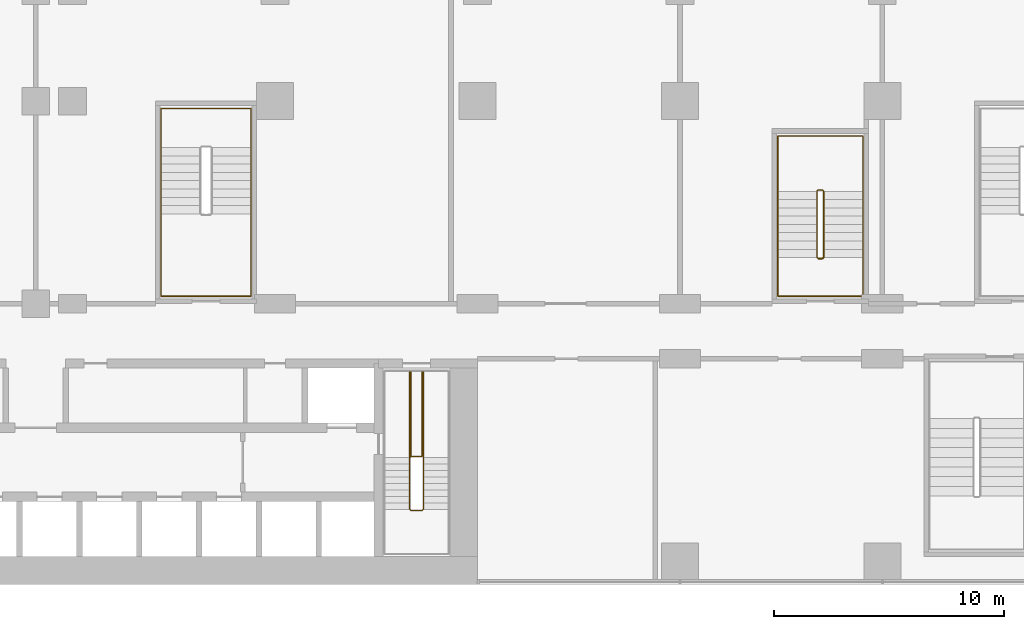
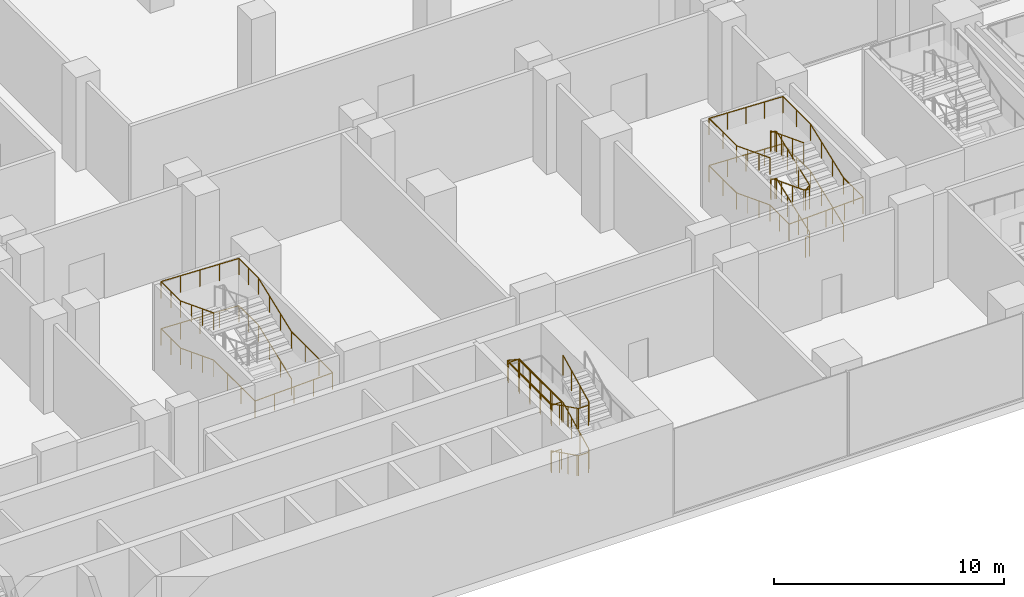
# One storey, part 26 of 30: 4 railings.
"""IFC4 building model written with IfcOpenShell, lengths in metres."""

import ifcopenshell
import ifcopenshell.guid

model = None  # the IFC model being written
_history = None  # IfcOwnerHistory: only IFC2X3 demands one
_inside = {}  # id of a spatial element -> (the spatial element, [elements in it])
_under = {}  # id of a project, library or spatial element -> (it, [spatial elements below it])
_declared = {}  # id of a project -> (the project, [libraries it declares])
_typed = {}  # id of a type object -> (the type object, [elements of that type])
_made_of = {}  # id of a material, layer set ... -> (it, [elements and type objects made of it])


def new_model(schema):
    """Start an empty IFC model of exactly this schema.

    Asked for "IFC4X3", IfcOpenShell would pick the latest addendum, in which some entities
    have other attributes; the version numbers below select the first issue.
    IFC2X3 requires an IfcOwnerHistory on every rooted entity: one is made here for all.
    """
    global model, _history
    if schema == "IFC4X3":
        model = ifcopenshell.file(schema_version=(4, 3, 0, 0))
    else:
        model = ifcopenshell.file(schema=schema)
    _inside.clear()
    _under.clear()
    _declared.clear()
    _typed.clear()
    _made_of.clear()
    _history = None
    if model.schema == "IFC2X3":
        org = make("IfcOrganization", Name="unknown")
        user = make(
            "IfcPersonAndOrganization",
            ThePerson=make("IfcPerson", FamilyName="unknown"),
            TheOrganization=org,
        )
        app = make(
            "IfcApplication",
            ApplicationDeveloper=org,
            Version="unknown",
            ApplicationFullName="unknown",
            ApplicationIdentifier="unknown",
        )
        _history = make(
            "IfcOwnerHistory",
            OwningUser=user,
            OwningApplication=app,
            ChangeAction="ADDED",
            CreationDate=0,
        )
    return model


def make(cls, **values):
    """One entity of the class cls with the attributes given. An attribute that is None is left unset."""
    return model.create_entity(
        cls, **{name: value for name, value in values.items() if value is not None}
    )


def rooted(cls, **values):
    """An entity with a GlobalId (a new one), such as an element, a storey or a relation."""
    return make(cls, GlobalId=ifcopenshell.guid.new(), OwnerHistory=_history, **values)


def si_unit(unit_type, name, prefix=None):
    """IfcSIUnit, for example si_unit("LENGTHUNIT", "METRE", prefix="MILLI")."""
    return make("IfcSIUnit", UnitType=unit_type, Prefix=prefix, Name=name)


def assignment(units):
    """IfcUnitAssignment: the units of a project."""
    return None if units is None else make("IfcUnitAssignment", Units=units)


def point(xyz):
    """IfcCartesianPoint."""
    return None if xyz is None else make("IfcCartesianPoint", Coordinates=xyz)


def direction(xyz):
    """IfcDirection."""
    return None if xyz is None else make("IfcDirection", DirectionRatios=xyz)


def frame(location, z_axis=None, x_axis=None):
    """IfcAxis2Placement3D, a coordinate frame: its origin and axes. An axis left out is left unset."""
    return make(
        "IfcAxis2Placement3D",
        Location=point(location),
        Axis=direction(z_axis),
        RefDirection=direction(x_axis),
    )


def frame_2d(location, x_axis=None):
    """IfcAxis2Placement2D, a coordinate frame in the plane: its origin and x axis."""
    return make(
        "IfcAxis2Placement2D", Location=point(location), RefDirection=direction(x_axis)
    )


def origin():
    """The frame at (0, 0, 0) with its axes left unset."""
    return frame((0.0, 0.0, 0.0))


def origin_2d():
    """The frame at (0, 0) in the plane with its x axis left unset."""
    return frame_2d((0.0, 0.0))


def place(relative_to, where):
    """IfcLocalPlacement: puts the frame where relative to a parent placement (None: the world)."""
    return make(
        "IfcLocalPlacement", PlacementRelTo=relative_to, RelativePlacement=where
    )


def context(
    kind, dimensions, precision=None, world=None, true_north=None, identifier=None
):
    """IfcGeometricRepresentationContext, for example the 3D "Model" context."""
    return make(
        "IfcGeometricRepresentationContext",
        ContextIdentifier=identifier,
        ContextType=kind,
        CoordinateSpaceDimension=dimensions,
        Precision=precision,
        WorldCoordinateSystem=world,
        TrueNorth=true_north,
    )


def subcontext(parent, identifier, kind, view, scale=None):
    """IfcGeometricRepresentationSubContext, for example "Body" below "Model"."""
    return make(
        "IfcGeometricRepresentationSubContext",
        ContextIdentifier=identifier,
        ContextType=kind,
        ParentContext=parent,
        TargetScale=scale,
        TargetView=view,
    )


def project(units=None, contexts=None):
    """IfcProject with its units and contexts."""
    return rooted(
        "IfcProject",
        Name="project",
        RepresentationContexts=contexts,
        UnitsInContext=assignment(units),
    )


def spatial(cls, under=None, at=None, **own):
    """A site, building, storey or space (cls), placed at a placement, below another one or the project."""
    s = rooted(cls, ObjectPlacement=at, **own)
    if under is not None:
        _under.setdefault(under.id(), (under, []))[1].append(s)
    return s


def profile(cls, at=None, kind="AREA", **sizes):
    """A parametric profile (cls). Its sizes go by their IFC names, for example OverallWidth=200.0."""
    return make(cls, ProfileType=kind, Position=at, **sizes)


def circle(**sizes):
    """IfcCircleProfileDef."""
    return profile("IfcCircleProfileDef", **sizes)


def extrude(swept, where, along, depth):
    """IfcExtrudedAreaSolid: the profile swept, set in the frame where, extruded along a direction by depth."""
    return make(
        "IfcExtrudedAreaSolid",
        SweptArea=swept,
        Position=where,
        ExtrudedDirection=direction(along),
        Depth=depth,
    )


def shape(context_of_items, identifier, shape_type, items):
    """IfcShapeRepresentation: the items that make up one representation, for example the "Body"."""
    return make(
        "IfcShapeRepresentation",
        ContextOfItems=context_of_items,
        RepresentationIdentifier=identifier,
        RepresentationType=shape_type,
        Items=items,
    )


def material(Name=None, Category=None):
    """IfcMaterial."""
    return make("IfcMaterial", Name=Name, Category=Category)


def made_of(thing, what):
    """Note that an element or type object is made of a material, layer set ...; save() writes the relation."""
    if what is not None:
        _made_of.setdefault(what.id(), (what, []))[1].append(thing)
    return thing


def type_object(cls, material=None, **own):
    """A type object (cls), such as IfcWallType, which elements share."""
    return made_of(rooted(cls, **own), material)


def element(
    cls,
    number,
    at=None,
    inside=None,
    cuts=None,
    type_object=None,
    material=None,
    context=None,
    identifier="Body",
    shape_type=None,
    held_by="IfcProductDefinitionShape",
    body=None,
    shapes=None,
    **own,
):
    """One element of the class cls, such as IfcWall. Its Tag is "e" and its number.

    at: its placement. inside: the storey or other place that contains it. cuts: it is an
    opening in that element (IfcRelVoidsElement). A single representation is given by context,
    identifier, shape_type and body (its items); several are given by shapes. held_by: the class
    of the entity that holds the representations. save() writes the other relations.
    """
    e = rooted(cls, Tag="e%d" % number, ObjectPlacement=at, **own)
    if body is not None:
        shapes = [shape(context, identifier, shape_type, body)]
    if shapes is not None:
        e.Representation = make(held_by, Representations=shapes)
    if inside is not None:
        _inside.setdefault(inside.id(), (inside, []))[1].append(e)
    if cuts is not None:
        rooted(
            "IfcRelVoidsElement", RelatingBuildingElement=cuts, RelatedOpeningElement=e
        )
    if type_object is not None:
        _typed.setdefault(type_object.id(), (type_object, []))[1].append(e)
    return made_of(e, material)


def aggregate(whole, parts):
    """IfcRelAggregates: a whole, such as a stair, and the parts it consists of."""
    return rooted("IfcRelAggregates", RelatingObject=whole, RelatedObjects=parts)


def save(model, path):
    """Write the relations noted so far, then the file.

    IfcRelAggregates (storeys below a building ...), IfcRelContainedInSpatialStructure (elements
    in a storey), IfcRelDefinesByType, IfcRelAssociatesMaterial and IfcRelDeclares: one each for
    every whole, place, type object, material and project.
    """
    for whole, parts in _under.values():
        aggregate(whole, parts)
    for where, things in _inside.values():
        rooted(
            "IfcRelContainedInSpatialStructure",
            RelatedElements=things,
            RelatingStructure=where,
        )
    for kind, things in _typed.values():
        rooted("IfcRelDefinesByType", RelatedObjects=things, RelatingType=kind)
    for what, things in _made_of.values():
        rooted("IfcRelAssociatesMaterial", RelatedObjects=things, RelatingMaterial=what)
    for by, libraries in _declared.values():
        rooted("IfcRelDeclares", RelatingContext=by, RelatedDefinitions=libraries)
    model.write(path)


model = new_model("IFC4")

# Units and contexts
model_context = context("Model", 3, precision=1e-05, world=origin(), true_north=direction((0.0, 1.0)))
body_context = subcontext(model_context, "Body", "Model", "MODEL_VIEW")
ifc_project = project(units=[si_unit("LENGTHUNIT", "METRE"), si_unit("AREAUNIT", "SQUARE_METRE"), si_unit("VOLUMEUNIT", "CUBIC_METRE"), si_unit("PLANEANGLEUNIT", "RADIAN"), si_unit("MASSUNIT", "GRAM", prefix="KILO")], contexts=[model_context])

# Site, building, storey
site_placement = place(None, origin())
site = spatial("IfcSite", under=ifc_project, at=site_placement, CompositionType="ELEMENT")
building_placement = place(site_placement, origin())
building = spatial("IfcBuilding", under=site, at=building_placement, Name="Kemantara Hotel Tower", CompositionType="ELEMENT")
storey_placement = place(building_placement, frame((0.0, 0.0, 13.0)))
storey = spatial("IfcBuildingStorey", under=building, at=storey_placement, Name="L02", CompositionType="ELEMENT", Elevation=13.0)

# Railings
ifc_material = material(Name="Stainless steel balustrade", Category="steel")
railing_type_1 = type_object("IfcRailingType", Name="Stair guard 1100 mm", PredefinedType="GUARDRAIL", material=ifc_material)
railing_1_placement = place(storey_placement, frame((42.64990234375, 5.5, 5.0)))
element("IfcRailing", 1, at=railing_1_placement, inside=storey, type_object=railing_type_1, Name="L02 ST2 stair guard 1", PredefinedType="GUARDRAIL", context=body_context, shape_type="SweptSolid", body=[
    extrude(circle(Radius=0.02392578125, at=origin_2d()), frame((0.0, 0.0, 1.076171875), z_axis=(0.0, -0.895848192791, -0.444360231651), x_axis=(1.0, 0.0, 0.0)), (0.0, 0.0, 1.0), 2.50048828125),
    extrude(circle(Radius=0.02392578125, at=origin_2d()), frame((0.0, -2.239990234375, -0.03515625), z_axis=(-0.319608697381, -0.321175406682, -0.891457592206), x_axis=(0.708833529934, -0.705375805398, 0.0)), (0.0, 0.0, 1.0), 0.15576171875),
    extrude(circle(Radius=0.02392578125, at=origin_2d()), frame((-0.0498046875, -2.2900390625, -0.173828125), z_axis=(-1.0, 0.0, 0.0), x_axis=(0.0, -1.0, 0.0)), (0.0, 0.0, 1.0), 0.5),
    extrude(circle(Radius=0.02392578125, at=origin_2d()), frame((-0.5498046875, -2.2900390625, -0.173828125), z_axis=(-0.707106781187, 0.707106781187, 0.0), x_axis=(-0.707106781187, -0.707106781187, 0.0)), (0.0, 0.0, 1.0), 0.07080078125),
    extrude(circle(Radius=0.02392578125, at=origin_2d()), frame((-0.599853515625, -2.239990234375, -0.173828125), z_axis=(0.0, 0.895848192791, -0.444360231651), x_axis=(-1.0, 0.0, 0.0)), (0.0, 0.0, 1.0), 2.50048828125),
    extrude(circle(Radius=0.02392578125, at=origin_2d()), frame((-0.599853515625, 0.0, -1.28515625), z_axis=(0.0, 1.0, 0.0), x_axis=(-1.0, 0.0, 0.0)), (0.0, 0.0, 1.0), 3.780029296875),
    extrude(circle(Radius=0.02392578125, at=origin_2d()), frame((-0.599853515625, 3.780029296875, -1.28515625), z_axis=(0.969557479204, 0.0, -0.244863828525), x_axis=(0.0, 1.0, 0.0)), (0.0, 0.0, 1.0), 0.5673828125),
    extrude(circle(Radius=0.02392578125, at=origin_2d()), frame((-0.0498046875, 3.780029296875, -1.423828125), z_axis=(0.0, -1.0, 0.0), x_axis=(1.0, 0.0, 0.0)), (0.0, 0.0, 1.0), 3.72998046875),
    extrude(circle(Radius=0.02392578125, at=origin_2d()), frame((-0.0498046875, 0.050048828125, -1.423828125), z_axis=(-1.0, 0.0, 0.0), x_axis=(0.0, -1.0, 0.0)), (0.0, 0.0, 1.0), 0.5),
    extrude(circle(Radius=0.02392578125, at=origin_2d()), frame((-0.5498046875, 0.050048828125, -1.423828125), z_axis=(0.0, 1.0, 0.0), x_axis=(-1.0, 0.0, 0.0)), (0.0, 0.0, 1.0), 3.72998046875),
    extrude(circle(Radius=0.02392578125, at=origin_2d()), frame((-0.5498046875, 3.780029296875, -1.423828125), z_axis=(1.0, 0.0, 0.0), x_axis=(0.0, 1.0, 0.0)), (0.0, 0.0, 1.0), 0.5498046875),
    extrude(circle(Radius=0.02392578125, at=origin_2d()), frame((0.0, 3.780029296875, -1.423828125), z_axis=(0.0, -1.0, 0.0), x_axis=(1.0, 0.0, 0.0)), (0.0, 0.0, 1.0), 3.780029296875),
    extrude(circle(Radius=0.02392578125, at=origin_2d()), frame((0.0, 0.0, -1.423828125), z_axis=(0.0, -0.895848192791, -0.444360231651), x_axis=(1.0, 0.0, 0.0)), (0.0, 0.0, 1.0), 2.50048828125),
    extrude(circle(Radius=0.02392578125, at=origin_2d()), frame((0.0, -2.239990234375, -2.53515625), z_axis=(-0.319608697381, -0.321175406682, -0.891457592206), x_axis=(0.708833529934, -0.705375805398, 0.0)), (0.0, 0.0, 1.0), 0.15576171875),
    extrude(circle(Radius=0.02392578125, at=origin_2d()), frame((-0.0498046875, -2.2900390625, -2.673828125), z_axis=(-1.0, 0.0, 0.0), x_axis=(0.0, -1.0, 0.0)), (0.0, 0.0, 1.0), 0.5),
    extrude(circle(Radius=0.02392578125, at=origin_2d()), frame((-0.5498046875, -2.2900390625, -2.673828125), z_axis=(-0.707106781187, 0.707106781187, 0.0), x_axis=(-0.707106781187, -0.707106781187, 0.0)), (0.0, 0.0, 1.0), 0.07080078125),
    extrude(circle(Radius=0.02392578125, at=origin_2d()), frame((-0.599853515625, -2.239990234375, -2.673828125), z_axis=(0.0, 0.895848192791, -0.444360231651), x_axis=(-1.0, 0.0, 0.0)), (0.0, 0.0, 1.0), 2.50048828125),
    extrude(circle(Radius=0.02392578125, at=origin_2d()), frame((-0.599853515625, 0.0, -3.78515625), z_axis=(0.321014310373, 0.321014310373, -0.891010451718), x_axis=(-0.707106781187, 0.707106781187, 0.0)), (0.0, 0.0, 1.0), 0.156005859375),
    extrude(circle(Radius=0.02392578125, at=origin_2d()), frame((-0.5498046875, 0.050048828125, -3.923828125), z_axis=(1.0, 0.0, 0.0), x_axis=(0.0, 1.0, 0.0)), (0.0, 0.0, 1.0), 0.5),
    extrude(circle(Radius=0.02099609375, at=origin_2d()), origin(), (0.0, 0.0, 1.0), 1.052001953125),
    extrude(circle(Radius=0.02099609375, at=origin_2d()), frame((0.0, -0.74658203125, -0.370361328125)), (0.0, 0.0, 1.0), 1.052001953125),
    extrude(circle(Radius=0.02099609375, at=origin_2d()), frame((0.0, -1.493408203125, -0.74072265625)), (0.0, 0.0, 1.0), 1.052001953125),
    extrude(circle(Radius=0.02099609375, at=origin_2d()), frame((0.0, -2.239990234375, -1.111083984375)), (0.0, 0.0, 1.0), 1.052001953125),
    extrude(circle(Radius=0.02099609375, at=origin_2d()), frame((-0.0498046875, -2.2900390625, -1.25)), (0.0, 0.0, 1.0), 1.052001953125),
    extrude(circle(Radius=0.02099609375, at=origin_2d()), frame((-0.5498046875, -2.2900390625, -1.25)), (0.0, 0.0, 1.0), 1.052001953125),
    extrude(circle(Radius=0.02099609375, at=origin_2d()), frame((-0.599853515625, -2.239990234375, -1.25)), (0.0, 0.0, 1.0), 1.052001953125),
    extrude(circle(Radius=0.02099609375, at=origin_2d()), frame((-0.599853515625, -1.493408203125, -1.620361328125)), (0.0, 0.0, 1.0), 1.052001953125),
    extrude(circle(Radius=0.02099609375, at=origin_2d()), frame((-0.599853515625, -0.74658203125, -1.99072265625)), (0.0, 0.0, 1.0), 1.052001953125),
    extrude(circle(Radius=0.02099609375, at=origin_2d()), frame((-0.599853515625, 0.0, -2.361083984375)), (0.0, 0.0, 1.0), 1.052001953125),
    extrude(circle(Radius=0.02099609375, at=origin_2d()), frame((-0.599853515625, 0.945068359375, -2.361083984375)), (0.0, 0.0, 1.0), 1.052001953125),
    extrude(circle(Radius=0.02099609375, at=origin_2d()), frame((-0.599853515625, 1.89013671875, -2.361083984375)), (0.0, 0.0, 1.0), 1.052001953125),
    extrude(circle(Radius=0.02099609375, at=origin_2d()), frame((-0.599853515625, 2.8349609375, -2.361083984375)), (0.0, 0.0, 1.0), 1.052001953125),
    extrude(circle(Radius=0.02099609375, at=origin_2d()), frame((-0.599853515625, 3.780029296875, -2.361083984375)), (0.0, 0.0, 1.0), 1.052001953125),
    extrude(circle(Radius=0.02099609375, at=origin_2d()), frame((-0.0498046875, 3.780029296875, -2.5)), (0.0, 0.0, 1.0), 1.052001953125),
    extrude(circle(Radius=0.02099609375, at=origin_2d()), frame((-0.0498046875, 2.84765625, -2.5)), (0.0, 0.0, 1.0), 1.052001953125),
    extrude(circle(Radius=0.02099609375, at=origin_2d()), frame((-0.0498046875, 1.9150390625, -2.5)), (0.0, 0.0, 1.0), 1.052001953125),
    extrude(circle(Radius=0.02099609375, at=origin_2d()), frame((-0.0498046875, 0.982421875, -2.5)), (0.0, 0.0, 1.0), 1.052001953125),
    extrude(circle(Radius=0.02099609375, at=origin_2d()), frame((-0.0498046875, 0.050048828125, -2.5)), (0.0, 0.0, 1.0), 1.052001953125),
    extrude(circle(Radius=0.02099609375, at=origin_2d()), frame((-0.5498046875, 0.050048828125, -2.5)), (0.0, 0.0, 1.0), 1.052001953125),
    extrude(circle(Radius=0.02099609375, at=origin_2d()), frame((-0.5498046875, 0.982421875, -2.5)), (0.0, 0.0, 1.0), 1.052001953125),
    extrude(circle(Radius=0.02099609375, at=origin_2d()), frame((-0.5498046875, 1.9150390625, -2.5)), (0.0, 0.0, 1.0), 1.052001953125),
    extrude(circle(Radius=0.02099609375, at=origin_2d()), frame((-0.5498046875, 2.84765625, -2.5)), (0.0, 0.0, 1.0), 1.052001953125),
    extrude(circle(Radius=0.02099609375, at=origin_2d()), frame((-0.5498046875, 3.780029296875, -2.5)), (0.0, 0.0, 1.0), 1.052001953125),
    extrude(circle(Radius=0.02099609375, at=origin_2d()), frame((0.0, 3.780029296875, -2.5)), (0.0, 0.0, 1.0), 1.052001953125),
    extrude(circle(Radius=0.02099609375, at=origin_2d()), frame((0.0, 2.8349609375, -2.5)), (0.0, 0.0, 1.0), 1.052001953125),
    extrude(circle(Radius=0.02099609375, at=origin_2d()), frame((0.0, 1.89013671875, -2.5)), (0.0, 0.0, 1.0), 1.052001953125),
    extrude(circle(Radius=0.02099609375, at=origin_2d()), frame((0.0, 0.945068359375, -2.5)), (0.0, 0.0, 1.0), 1.052001953125),
    extrude(circle(Radius=0.02099609375, at=origin_2d()), frame((0.0, 0.0, -2.5)), (0.0, 0.0, 1.0), 1.052001953125),
    extrude(circle(Radius=0.02099609375, at=origin_2d()), frame((0.0, -0.74658203125, -2.870361328125)), (0.0, 0.0, 1.0), 1.052001953125),
    extrude(circle(Radius=0.02099609375, at=origin_2d()), frame((0.0, -1.493408203125, -3.24072265625)), (0.0, 0.0, 1.0), 1.052001953125),
    extrude(circle(Radius=0.02099609375, at=origin_2d()), frame((0.0, -2.239990234375, -3.611083984375)), (0.0, 0.0, 1.0), 1.052001953125),
    extrude(circle(Radius=0.02099609375, at=origin_2d()), frame((-0.0498046875, -2.2900390625, -3.75)), (0.0, 0.0, 1.0), 1.052001953125),
    extrude(circle(Radius=0.02099609375, at=origin_2d()), frame((-0.5498046875, -2.2900390625, -3.75)), (0.0, 0.0, 1.0), 1.052001953125),
    extrude(circle(Radius=0.02099609375, at=origin_2d()), frame((-0.599853515625, -2.239990234375, -3.75)), (0.0, 0.0, 1.0), 1.052001953125),
    extrude(circle(Radius=0.02099609375, at=origin_2d()), frame((-0.599853515625, -1.493408203125, -4.120361328125)), (0.0, 0.0, 1.0), 1.052001953125),
    extrude(circle(Radius=0.02099609375, at=origin_2d()), frame((-0.599853515625, -0.74658203125, -4.49072265625)), (0.0, 0.0, 1.0), 1.052001953125),
    extrude(circle(Radius=0.02099609375, at=origin_2d()), frame((-0.599853515625, 0.0, -4.861083984375)), (0.0, 0.0, 1.0), 1.052001953125),
    extrude(circle(Radius=0.02099609375, at=origin_2d()), frame((-0.5498046875, 0.050048828125, -5.0)), (0.0, 0.0, 1.0), 1.052001953125),
    extrude(circle(Radius=0.02099609375, at=origin_2d()), frame((-0.0498046875, 0.050048828125, -5.0)), (0.0, 0.0, 1.0), 1.052001953125),
])
railing_2_placement = place(storey_placement, frame((59.75, 14.199951171875, 5.0)))
element("IfcRailing", 2, at=railing_2_placement, inside=storey, type_object=railing_type_1, Name="L02 ST3 stair guard 1", PredefinedType="GUARDRAIL", context=body_context, shape_type="SweptSolid", body=[
    extrude(circle(Radius=0.02392578125, at=origin_2d()), frame((0.0, 0.0, 1.076171875), z_axis=(0.0, 0.932982310422, -0.359922225543), x_axis=(-1.0, 0.0, 0.0)), (0.0, 0.0, 1.0), 3.0869140625),
    extrude(circle(Radius=0.02392578125, at=origin_2d()), frame((0.0, 2.880126953125, -0.03515625), z_axis=(0.321175406682, 0.319608697381, -0.891457592206), x_axis=(-0.705375805398, 0.708833529934, 0.0)), (0.0, 0.0, 1.0), 0.15576171875),
    extrude(circle(Radius=0.02392578125, at=origin_2d()), frame((0.050048828125, 2.929931640625, -0.173828125), z_axis=(1.0, 0.0, 0.0), x_axis=(0.0, 1.0, 0.0)), (0.0, 0.0, 1.0), 0.199951171875),
    extrude(circle(Radius=0.02392578125, at=origin_2d()), frame((0.25, 2.929931640625, -0.173828125), z_axis=(0.708833529934, -0.705375805398, 0.0), x_axis=(0.705375805398, 0.708833529934, 0.0)), (0.0, 0.0, 1.0), 0.070556640625),
    extrude(circle(Radius=0.02392578125, at=origin_2d()), frame((0.300048828125, 2.880126953125, -0.173828125), z_axis=(0.0, -0.932982310422, -0.359922225543), x_axis=(1.0, 0.0, 0.0)), (0.0, 0.0, 1.0), 3.0869140625),
    extrude(circle(Radius=0.02392578125, at=origin_2d()), frame((0.300048828125, 0.0, -1.28515625), z_axis=(-0.861032742868, -0.172374719031, -0.478444951847), x_axis=(0.196300278283, -0.98054382908, 0.0)), (0.0, 0.0, 1.0), 0.290283203125),
    extrude(circle(Radius=0.02392578125, at=origin_2d()), frame((0.050048828125, -0.050048828125, -1.423828125), z_axis=(1.0, 0.0, 0.0), x_axis=(0.0, 1.0, 0.0)), (0.0, 0.0, 1.0), 0.199951171875),
    extrude(circle(Radius=0.02392578125, at=origin_2d()), frame((0.25, -0.050048828125, -1.423828125), z_axis=(-0.98054382908, 0.196300278283, 0.0), x_axis=(-0.196300278283, -0.98054382908, 0.0)), (0.0, 0.0, 1.0), 0.2548828125),
    extrude(circle(Radius=0.02392578125, at=origin_2d()), frame((0.0, 0.0, -1.423828125), z_axis=(0.0, 0.932982310422, -0.359922225543), x_axis=(-1.0, 0.0, 0.0)), (0.0, 0.0, 1.0), 3.0869140625),
    extrude(circle(Radius=0.02392578125, at=origin_2d()), frame((0.0, 2.880126953125, -2.53515625), z_axis=(0.321175406682, 0.319608697381, -0.891457592206), x_axis=(-0.705375805398, 0.708833529934, 0.0)), (0.0, 0.0, 1.0), 0.15576171875),
    extrude(circle(Radius=0.02392578125, at=origin_2d()), frame((0.050048828125, 2.929931640625, -2.673828125), z_axis=(1.0, 0.0, 0.0), x_axis=(0.0, 1.0, 0.0)), (0.0, 0.0, 1.0), 0.199951171875),
    extrude(circle(Radius=0.02392578125, at=origin_2d()), frame((0.25, 2.929931640625, -2.673828125), z_axis=(0.708833529934, -0.705375805398, 0.0), x_axis=(0.705375805398, 0.708833529934, 0.0)), (0.0, 0.0, 1.0), 0.070556640625),
    extrude(circle(Radius=0.02392578125, at=origin_2d()), frame((0.300048828125, 2.880126953125, -2.673828125), z_axis=(0.0, -0.932982310422, -0.359922225543), x_axis=(1.0, 0.0, 0.0)), (0.0, 0.0, 1.0), 3.0869140625),
    extrude(circle(Radius=0.02392578125, at=origin_2d()), frame((0.300048828125, 0.0, -3.78515625), z_axis=(-0.321014310373, -0.321014310373, -0.891010451718), x_axis=(0.707106781187, -0.707106781187, 0.0)), (0.0, 0.0, 1.0), 0.156005859375),
    extrude(circle(Radius=0.02392578125, at=origin_2d()), frame((0.25, -0.050048828125, -3.923828125), z_axis=(-1.0, 0.0, 0.0), x_axis=(0.0, -1.0, 0.0)), (0.0, 0.0, 1.0), 0.199951171875),
    extrude(circle(Radius=0.02099609375, at=origin_2d()), origin(), (0.0, 0.0, 1.0), 1.052001953125),
    extrude(circle(Radius=0.02099609375, at=origin_2d()), frame((0.0, 0.9599609375, -0.370361328125)), (0.0, 0.0, 1.0), 1.052001953125),
    extrude(circle(Radius=0.02099609375, at=origin_2d()), frame((0.0, 1.920166015625, -0.74072265625)), (0.0, 0.0, 1.0), 1.052001953125),
    extrude(circle(Radius=0.02099609375, at=origin_2d()), frame((0.0, 2.880126953125, -1.111083984375)), (0.0, 0.0, 1.0), 1.052001953125),
    extrude(circle(Radius=0.02099609375, at=origin_2d()), frame((0.050048828125, 2.929931640625, -1.25)), (0.0, 0.0, 1.0), 1.052001953125),
    extrude(circle(Radius=0.02099609375, at=origin_2d()), frame((0.25, 2.929931640625, -1.25)), (0.0, 0.0, 1.0), 1.052001953125),
    extrude(circle(Radius=0.02099609375, at=origin_2d()), frame((0.300048828125, 2.880126953125, -1.25)), (0.0, 0.0, 1.0), 1.052001953125),
    extrude(circle(Radius=0.02099609375, at=origin_2d()), frame((0.300048828125, 1.920166015625, -1.620361328125)), (0.0, 0.0, 1.0), 1.052001953125),
    extrude(circle(Radius=0.02099609375, at=origin_2d()), frame((0.300048828125, 0.9599609375, -1.99072265625)), (0.0, 0.0, 1.0), 1.052001953125),
    extrude(circle(Radius=0.02099609375, at=origin_2d()), frame((0.300048828125, 0.0, -2.361083984375)), (0.0, 0.0, 1.0), 1.052001953125),
    extrude(circle(Radius=0.02099609375, at=origin_2d()), frame((0.050048828125, -0.050048828125, -2.5)), (0.0, 0.0, 1.0), 1.052001953125),
    extrude(circle(Radius=0.02099609375, at=origin_2d()), frame((0.25, -0.050048828125, -2.5)), (0.0, 0.0, 1.0), 1.052001953125),
    extrude(circle(Radius=0.02099609375, at=origin_2d()), frame((0.0, 0.0, -2.5)), (0.0, 0.0, 1.0), 1.052001953125),
    extrude(circle(Radius=0.02099609375, at=origin_2d()), frame((0.0, 0.9599609375, -2.870361328125)), (0.0, 0.0, 1.0), 1.052001953125),
    extrude(circle(Radius=0.02099609375, at=origin_2d()), frame((0.0, 1.920166015625, -3.24072265625)), (0.0, 0.0, 1.0), 1.052001953125),
    extrude(circle(Radius=0.02099609375, at=origin_2d()), frame((0.0, 2.880126953125, -3.611083984375)), (0.0, 0.0, 1.0), 1.052001953125),
    extrude(circle(Radius=0.02099609375, at=origin_2d()), frame((0.050048828125, 2.929931640625, -3.75)), (0.0, 0.0, 1.0), 1.052001953125),
    extrude(circle(Radius=0.02099609375, at=origin_2d()), frame((0.25, 2.929931640625, -3.75)), (0.0, 0.0, 1.0), 1.052001953125),
    extrude(circle(Radius=0.02099609375, at=origin_2d()), frame((0.300048828125, 2.880126953125, -3.75)), (0.0, 0.0, 1.0), 1.052001953125),
    extrude(circle(Radius=0.02099609375, at=origin_2d()), frame((0.300048828125, 1.920166015625, -4.120361328125)), (0.0, 0.0, 1.0), 1.052001953125),
    extrude(circle(Radius=0.02099609375, at=origin_2d()), frame((0.300048828125, 0.9599609375, -4.49072265625)), (0.0, 0.0, 1.0), 1.052001953125),
    extrude(circle(Radius=0.02099609375, at=origin_2d()), frame((0.300048828125, 0.0, -4.861083984375)), (0.0, 0.0, 1.0), 1.052001953125),
    extrude(circle(Radius=0.02099609375, at=origin_2d()), frame((0.25, -0.050048828125, -5.0)), (0.0, 0.0, 1.0), 1.052001953125),
    extrude(circle(Radius=0.02099609375, at=origin_2d()), frame((0.050048828125, -0.050048828125, -5.0)), (0.0, 0.0, 1.0), 1.052001953125),
])
railing_type_2 = type_object("IfcRailingType", Name="Stair handrail 900 mm", PredefinedType="HANDRAIL", material=ifc_material)
railing_3_placement = place(storey_placement, frame((61.75, 14.199951171875, 0.138916015625)))
element("IfcRailing", 3, at=railing_3_placement, inside=storey, type_object=railing_type_2, Name="L02 ST3 stair handrail 1", PredefinedType="HANDRAIL", context=body_context, shape_type="SweptSolid", body=[
    extrude(circle(Radius=0.02392578125, at=origin_2d()), frame((0.0, 0.0, 0.8759765625), z_axis=(0.0, 0.932982310422, 0.359922225543), x_axis=(-1.0, 0.0, 0.0)), (0.0, 0.0, 1.0), 3.0869140625),
    extrude(circle(Radius=0.02392578125, at=origin_2d()), frame((0.0, 2.880126953125, 1.98681640625), z_axis=(0.0, 1.0, 0.0), x_axis=(-1.0, 0.0, 0.0)), (0.0, 0.0, 1.0), 2.39990234375),
    extrude(circle(Radius=0.02392578125, at=origin_2d()), frame((0.0, 5.280029296875, 1.98681640625), z_axis=(-0.999295917098, 0.0, 0.037518929517), x_axis=(0.0, -1.0, 0.0)), (0.0, 0.0, 1.0), 3.70263671875),
    extrude(circle(Radius=0.02392578125, at=origin_2d()), frame((-3.699951171875, 5.280029296875, 2.1259765625), z_axis=(0.0, -1.0, 0.0), x_axis=(1.0, 0.0, 0.0)), (0.0, 0.0, 1.0), 2.39990234375),
    extrude(circle(Radius=0.02392578125, at=origin_2d()), frame((-3.699951171875, 2.880126953125, 2.1259765625), z_axis=(0.0, -0.932982310422, 0.359922225543), x_axis=(1.0, 0.0, 0.0)), (0.0, 0.0, 1.0), 3.0869140625),
    extrude(circle(Radius=0.02392578125, at=origin_2d()), frame((-3.699951171875, 0.0, 3.23681640625), z_axis=(0.0, -1.0, 0.0), x_axis=(1.0, 0.0, 0.0)), (0.0, 0.0, 1.0), 1.679931640625),
    extrude(circle(Radius=0.02392578125, at=origin_2d()), frame((-3.699951171875, -1.679931640625, 3.23681640625), z_axis=(0.999295917098, 0.0, 0.037518929517), x_axis=(0.0, 1.0, 0.0)), (0.0, 0.0, 1.0), 3.70263671875),
    extrude(circle(Radius=0.02392578125, at=origin_2d()), frame((0.0, -1.679931640625, 3.3759765625), z_axis=(0.0, 1.0, 0.0), x_axis=(-1.0, 0.0, 0.0)), (0.0, 0.0, 1.0), 1.679931640625),
    extrude(circle(Radius=0.02392578125, at=origin_2d()), frame((0.0, 0.0, 3.3759765625), z_axis=(0.0, 0.932982310422, 0.359922225543), x_axis=(-1.0, 0.0, 0.0)), (0.0, 0.0, 1.0), 3.0869140625),
    extrude(circle(Radius=0.02392578125, at=origin_2d()), frame((0.0, 2.880126953125, 4.48681640625), z_axis=(0.0, 1.0, 0.0), x_axis=(-1.0, 0.0, 0.0)), (0.0, 0.0, 1.0), 2.39990234375),
    extrude(circle(Radius=0.02392578125, at=origin_2d()), frame((0.0, 5.280029296875, 4.48681640625), z_axis=(-0.999295917098, 0.0, 0.037518929517), x_axis=(0.0, -1.0, 0.0)), (0.0, 0.0, 1.0), 3.70263671875),
    extrude(circle(Radius=0.02392578125, at=origin_2d()), frame((-3.699951171875, 5.280029296875, 4.6259765625), z_axis=(0.0, -1.0, 0.0), x_axis=(1.0, 0.0, 0.0)), (0.0, 0.0, 1.0), 2.39990234375),
    extrude(circle(Radius=0.02392578125, at=origin_2d()), frame((-3.699951171875, 2.880126953125, 4.6259765625), z_axis=(0.0, -0.932982310422, 0.359922225543), x_axis=(1.0, 0.0, 0.0)), (0.0, 0.0, 1.0), 3.0869140625),
    extrude(circle(Radius=0.02099609375, at=origin_2d()), origin(), (0.0, 0.0, 1.0), 0.851806640625),
    extrude(circle(Radius=0.02099609375, at=origin_2d()), frame((0.0, 0.9599609375, 0.370361328125)), (0.0, 0.0, 1.0), 0.851806640625),
    extrude(circle(Radius=0.02099609375, at=origin_2d()), frame((0.0, 1.920166015625, 0.74072265625)), (0.0, 0.0, 1.0), 0.851806640625),
    extrude(circle(Radius=0.02099609375, at=origin_2d()), frame((0.0, 2.880126953125, 1.111083984375)), (0.0, 0.0, 1.0), 0.851806640625),
    extrude(circle(Radius=0.02099609375, at=origin_2d()), frame((0.0, 4.080078125, 1.111083984375)), (0.0, 0.0, 1.0), 0.851806640625),
    extrude(circle(Radius=0.02099609375, at=origin_2d()), frame((0.0, 5.280029296875, 1.111083984375)), (0.0, 0.0, 1.0), 0.851806640625),
    extrude(circle(Radius=0.02099609375, at=origin_2d()), frame((-0.925048828125, 5.280029296875, 1.145751953125)), (0.0, 0.0, 1.0), 0.851806640625),
    extrude(circle(Radius=0.02099609375, at=origin_2d()), frame((-1.85009765625, 5.280029296875, 1.1806640625)), (0.0, 0.0, 1.0), 0.851806640625),
    extrude(circle(Radius=0.02099609375, at=origin_2d()), frame((-2.77490234375, 5.280029296875, 1.21533203125)), (0.0, 0.0, 1.0), 0.851806640625),
    extrude(circle(Radius=0.02099609375, at=origin_2d()), frame((-3.699951171875, 5.280029296875, 1.25)), (0.0, 0.0, 1.0), 0.851806640625),
    extrude(circle(Radius=0.02099609375, at=origin_2d()), frame((-3.699951171875, 4.080078125, 1.25)), (0.0, 0.0, 1.0), 0.851806640625),
    extrude(circle(Radius=0.02099609375, at=origin_2d()), frame((-3.699951171875, 2.880126953125, 1.25)), (0.0, 0.0, 1.0), 0.851806640625),
    extrude(circle(Radius=0.02099609375, at=origin_2d()), frame((-3.699951171875, 1.920166015625, 1.620361328125)), (0.0, 0.0, 1.0), 0.851806640625),
    extrude(circle(Radius=0.02099609375, at=origin_2d()), frame((-3.699951171875, 0.9599609375, 1.99072265625)), (0.0, 0.0, 1.0), 0.851806640625),
    extrude(circle(Radius=0.02099609375, at=origin_2d()), frame((-3.699951171875, 0.0, 2.361083984375)), (0.0, 0.0, 1.0), 0.851806640625),
    extrude(circle(Radius=0.02099609375, at=origin_2d()), frame((-3.699951171875, -0.83984375, 2.361083984375)), (0.0, 0.0, 1.0), 0.851806640625),
    extrude(circle(Radius=0.02099609375, at=origin_2d()), frame((-3.699951171875, -1.679931640625, 2.361083984375)), (0.0, 0.0, 1.0), 0.851806640625),
    extrude(circle(Radius=0.02099609375, at=origin_2d()), frame((-2.77490234375, -1.679931640625, 2.395751953125)), (0.0, 0.0, 1.0), 0.851806640625),
    extrude(circle(Radius=0.02099609375, at=origin_2d()), frame((-1.85009765625, -1.679931640625, 2.4306640625)), (0.0, 0.0, 1.0), 0.851806640625),
    extrude(circle(Radius=0.02099609375, at=origin_2d()), frame((-0.925048828125, -1.679931640625, 2.46533203125)), (0.0, 0.0, 1.0), 0.851806640625),
    extrude(circle(Radius=0.02099609375, at=origin_2d()), frame((0.0, -1.679931640625, 2.5)), (0.0, 0.0, 1.0), 0.851806640625),
    extrude(circle(Radius=0.02099609375, at=origin_2d()), frame((0.0, -0.83984375, 2.5)), (0.0, 0.0, 1.0), 0.851806640625),
    extrude(circle(Radius=0.02099609375, at=origin_2d()), frame((0.0, 0.0, 2.5)), (0.0, 0.0, 1.0), 0.851806640625),
    extrude(circle(Radius=0.02099609375, at=origin_2d()), frame((0.0, 0.9599609375, 2.870361328125)), (0.0, 0.0, 1.0), 0.851806640625),
    extrude(circle(Radius=0.02099609375, at=origin_2d()), frame((0.0, 1.920166015625, 3.24072265625)), (0.0, 0.0, 1.0), 0.851806640625),
    extrude(circle(Radius=0.02099609375, at=origin_2d()), frame((0.0, 2.880126953125, 3.611083984375)), (0.0, 0.0, 1.0), 0.851806640625),
    extrude(circle(Radius=0.02099609375, at=origin_2d()), frame((0.0, 4.080078125, 3.611083984375)), (0.0, 0.0, 1.0), 0.851806640625),
    extrude(circle(Radius=0.02099609375, at=origin_2d()), frame((0.0, 5.280029296875, 3.611083984375)), (0.0, 0.0, 1.0), 0.851806640625),
    extrude(circle(Radius=0.02099609375, at=origin_2d()), frame((-0.925048828125, 5.280029296875, 3.645751953125)), (0.0, 0.0, 1.0), 0.851806640625),
    extrude(circle(Radius=0.02099609375, at=origin_2d()), frame((-1.85009765625, 5.280029296875, 3.6806640625)), (0.0, 0.0, 1.0), 0.851806640625),
    extrude(circle(Radius=0.02099609375, at=origin_2d()), frame((-2.77490234375, 5.280029296875, 3.71533203125)), (0.0, 0.0, 1.0), 0.851806640625),
    extrude(circle(Radius=0.02099609375, at=origin_2d()), frame((-3.699951171875, 5.280029296875, 3.75)), (0.0, 0.0, 1.0), 0.851806640625),
    extrude(circle(Radius=0.02099609375, at=origin_2d()), frame((-3.699951171875, 4.080078125, 3.75)), (0.0, 0.0, 1.0), 0.851806640625),
    extrude(circle(Radius=0.02099609375, at=origin_2d()), frame((-3.699951171875, 2.880126953125, 3.75)), (0.0, 0.0, 1.0), 0.851806640625),
    extrude(circle(Radius=0.02099609375, at=origin_2d()), frame((-3.699951171875, 1.920166015625, 4.120361328125)), (0.0, 0.0, 1.0), 0.851806640625),
    extrude(circle(Radius=0.02099609375, at=origin_2d()), frame((-3.699951171875, 0.9599609375, 4.49072265625)), (0.0, 0.0, 1.0), 0.851806640625),
    extrude(circle(Radius=0.02099609375, at=origin_2d()), frame((-3.699951171875, 0.0, 4.861083984375)), (0.0, 0.0, 1.0), 0.851806640625),
])
railing_4_placement = place(storey_placement, frame((35.14990234375, 16.10009765625, 0.138916015625)))
element("IfcRailing", 4, at=railing_4_placement, inside=storey, type_object=railing_type_2, Name="L02 PS3 stair handrail 1", PredefinedType="HANDRAIL", context=body_context, shape_type="SweptSolid", body=[
    extrude(circle(Radius=0.02392578125, at=origin_2d()), frame((0.0, 0.0, 0.8759765625), z_axis=(0.0, 0.932972064118, 0.359948784656), x_axis=(-1.0, 0.0, 0.0)), (0.0, 0.0, 1.0), 3.086669921875),
    extrude(circle(Radius=0.02392578125, at=origin_2d()), frame((0.0, 2.8798828125, 1.98681640625), z_axis=(0.0, 1.0, 0.0), x_axis=(-1.0, 0.0, 0.0)), (0.0, 0.0, 1.0), 1.699951171875),
    extrude(circle(Radius=0.02392578125, at=origin_2d()), frame((0.0, 4.579833984375, 1.98681640625), z_axis=(-0.999366197222, 0.0, 0.035597806825), x_axis=(0.0, -1.0, 0.0)), (0.0, 0.0, 1.0), 3.90234375),
    extrude(circle(Radius=0.02392578125, at=origin_2d()), frame((-3.89990234375, 4.579833984375, 2.1259765625), z_axis=(0.0, -1.0, 0.0), x_axis=(1.0, 0.0, 0.0)), (0.0, 0.0, 1.0), 1.699951171875),
    extrude(circle(Radius=0.02392578125, at=origin_2d()), frame((-3.89990234375, 2.8798828125, 2.1259765625), z_axis=(0.0, -0.932972064118, 0.359948784656), x_axis=(1.0, 0.0, 0.0)), (0.0, 0.0, 1.0), 3.086669921875),
    extrude(circle(Radius=0.02392578125, at=origin_2d()), frame((-3.89990234375, 0.0, 3.23681640625), z_axis=(0.0, -1.0, 0.0), x_axis=(1.0, 0.0, 0.0)), (0.0, 0.0, 1.0), 3.580078125),
    extrude(circle(Radius=0.02392578125, at=origin_2d()), frame((-3.89990234375, -3.580078125, 3.23681640625), z_axis=(0.999366197222, 0.0, 0.035597806825), x_axis=(0.0, 1.0, 0.0)), (0.0, 0.0, 1.0), 3.90234375),
    extrude(circle(Radius=0.02392578125, at=origin_2d()), frame((0.0, -3.580078125, 3.3759765625), z_axis=(0.0, 1.0, 0.0), x_axis=(-1.0, 0.0, 0.0)), (0.0, 0.0, 1.0), 3.580078125),
    extrude(circle(Radius=0.02392578125, at=origin_2d()), frame((0.0, 0.0, 3.3759765625), z_axis=(0.0, 0.932972064118, 0.359948784656), x_axis=(-1.0, 0.0, 0.0)), (0.0, 0.0, 1.0), 3.086669921875),
    extrude(circle(Radius=0.02392578125, at=origin_2d()), frame((0.0, 2.8798828125, 4.48681640625), z_axis=(0.0, 1.0, 0.0), x_axis=(-1.0, 0.0, 0.0)), (0.0, 0.0, 1.0), 1.699951171875),
    extrude(circle(Radius=0.02392578125, at=origin_2d()), frame((0.0, 4.579833984375, 4.48681640625), z_axis=(-0.999366197222, 0.0, 0.035597806825), x_axis=(0.0, -1.0, 0.0)), (0.0, 0.0, 1.0), 3.90234375),
    extrude(circle(Radius=0.02392578125, at=origin_2d()), frame((-3.89990234375, 4.579833984375, 4.6259765625), z_axis=(0.0, -1.0, 0.0), x_axis=(1.0, 0.0, 0.0)), (0.0, 0.0, 1.0), 1.699951171875),
    extrude(circle(Radius=0.02392578125, at=origin_2d()), frame((-3.89990234375, 2.8798828125, 4.6259765625), z_axis=(0.0, -0.932972064118, 0.359948784656), x_axis=(1.0, 0.0, 0.0)), (0.0, 0.0, 1.0), 3.086669921875),
    extrude(circle(Radius=0.02099609375, at=origin_2d()), origin(), (0.0, 0.0, 1.0), 0.851806640625),
    extrude(circle(Radius=0.02099609375, at=origin_2d()), frame((0.0, 0.9599609375, 0.370361328125)), (0.0, 0.0, 1.0), 0.851806640625),
    extrude(circle(Radius=0.02099609375, at=origin_2d()), frame((0.0, 1.919921875, 0.74072265625)), (0.0, 0.0, 1.0), 0.851806640625),
    extrude(circle(Radius=0.02099609375, at=origin_2d()), frame((0.0, 2.8798828125, 1.111083984375)), (0.0, 0.0, 1.0), 0.851806640625),
    extrude(circle(Radius=0.02099609375, at=origin_2d()), frame((0.0, 3.72998046875, 1.111083984375)), (0.0, 0.0, 1.0), 0.851806640625),
    extrude(circle(Radius=0.02099609375, at=origin_2d()), frame((0.0, 4.579833984375, 1.111083984375)), (0.0, 0.0, 1.0), 0.851806640625),
    extrude(circle(Radius=0.02099609375, at=origin_2d()), frame((-0.97509765625, 4.579833984375, 1.145751953125)), (0.0, 0.0, 1.0), 0.851806640625),
    extrude(circle(Radius=0.02099609375, at=origin_2d()), frame((-1.949951171875, 4.579833984375, 1.1806640625)), (0.0, 0.0, 1.0), 0.851806640625),
    extrude(circle(Radius=0.02099609375, at=origin_2d()), frame((-2.9248046875, 4.579833984375, 1.21533203125)), (0.0, 0.0, 1.0), 0.851806640625),
    extrude(circle(Radius=0.02099609375, at=origin_2d()), frame((-3.89990234375, 4.579833984375, 1.25)), (0.0, 0.0, 1.0), 0.851806640625),
    extrude(circle(Radius=0.02099609375, at=origin_2d()), frame((-3.89990234375, 3.72998046875, 1.25)), (0.0, 0.0, 1.0), 0.851806640625),
    extrude(circle(Radius=0.02099609375, at=origin_2d()), frame((-3.89990234375, 2.8798828125, 1.25)), (0.0, 0.0, 1.0), 0.851806640625),
    extrude(circle(Radius=0.02099609375, at=origin_2d()), frame((-3.89990234375, 1.919921875, 1.620361328125)), (0.0, 0.0, 1.0), 0.851806640625),
    extrude(circle(Radius=0.02099609375, at=origin_2d()), frame((-3.89990234375, 0.9599609375, 1.99072265625)), (0.0, 0.0, 1.0), 0.851806640625),
    extrude(circle(Radius=0.02099609375, at=origin_2d()), frame((-3.89990234375, 0.0, 2.361083984375)), (0.0, 0.0, 1.0), 0.851806640625),
    extrude(circle(Radius=0.02099609375, at=origin_2d()), frame((-3.89990234375, -1.193359375, 2.361083984375)), (0.0, 0.0, 1.0), 0.851806640625),
    extrude(circle(Radius=0.02099609375, at=origin_2d()), frame((-3.89990234375, -2.38671875, 2.361083984375)), (0.0, 0.0, 1.0), 0.851806640625),
    extrude(circle(Radius=0.02099609375, at=origin_2d()), frame((-3.89990234375, -3.580078125, 2.361083984375)), (0.0, 0.0, 1.0), 0.851806640625),
    extrude(circle(Radius=0.02099609375, at=origin_2d()), frame((-2.9248046875, -3.580078125, 2.395751953125)), (0.0, 0.0, 1.0), 0.851806640625),
    extrude(circle(Radius=0.02099609375, at=origin_2d()), frame((-1.949951171875, -3.580078125, 2.4306640625)), (0.0, 0.0, 1.0), 0.851806640625),
    extrude(circle(Radius=0.02099609375, at=origin_2d()), frame((-0.97509765625, -3.580078125, 2.46533203125)), (0.0, 0.0, 1.0), 0.851806640625),
    extrude(circle(Radius=0.02099609375, at=origin_2d()), frame((0.0, -3.580078125, 2.5)), (0.0, 0.0, 1.0), 0.851806640625),
    extrude(circle(Radius=0.02099609375, at=origin_2d()), frame((0.0, -2.38671875, 2.5)), (0.0, 0.0, 1.0), 0.851806640625),
    extrude(circle(Radius=0.02099609375, at=origin_2d()), frame((0.0, -1.193359375, 2.5)), (0.0, 0.0, 1.0), 0.851806640625),
    extrude(circle(Radius=0.02099609375, at=origin_2d()), frame((0.0, 0.0, 2.5)), (0.0, 0.0, 1.0), 0.851806640625),
    extrude(circle(Radius=0.02099609375, at=origin_2d()), frame((0.0, 0.9599609375, 2.870361328125)), (0.0, 0.0, 1.0), 0.851806640625),
    extrude(circle(Radius=0.02099609375, at=origin_2d()), frame((0.0, 1.919921875, 3.24072265625)), (0.0, 0.0, 1.0), 0.851806640625),
    extrude(circle(Radius=0.02099609375, at=origin_2d()), frame((0.0, 2.8798828125, 3.611083984375)), (0.0, 0.0, 1.0), 0.851806640625),
    extrude(circle(Radius=0.02099609375, at=origin_2d()), frame((0.0, 3.72998046875, 3.611083984375)), (0.0, 0.0, 1.0), 0.851806640625),
    extrude(circle(Radius=0.02099609375, at=origin_2d()), frame((0.0, 4.579833984375, 3.611083984375)), (0.0, 0.0, 1.0), 0.851806640625),
    extrude(circle(Radius=0.02099609375, at=origin_2d()), frame((-0.97509765625, 4.579833984375, 3.645751953125)), (0.0, 0.0, 1.0), 0.851806640625),
    extrude(circle(Radius=0.02099609375, at=origin_2d()), frame((-1.949951171875, 4.579833984375, 3.6806640625)), (0.0, 0.0, 1.0), 0.851806640625),
    extrude(circle(Radius=0.02099609375, at=origin_2d()), frame((-2.9248046875, 4.579833984375, 3.71533203125)), (0.0, 0.0, 1.0), 0.851806640625),
    extrude(circle(Radius=0.02099609375, at=origin_2d()), frame((-3.89990234375, 4.579833984375, 3.75)), (0.0, 0.0, 1.0), 0.851806640625),
    extrude(circle(Radius=0.02099609375, at=origin_2d()), frame((-3.89990234375, 3.72998046875, 3.75)), (0.0, 0.0, 1.0), 0.851806640625),
    extrude(circle(Radius=0.02099609375, at=origin_2d()), frame((-3.89990234375, 2.8798828125, 3.75)), (0.0, 0.0, 1.0), 0.851806640625),
    extrude(circle(Radius=0.02099609375, at=origin_2d()), frame((-3.89990234375, 1.919921875, 4.120361328125)), (0.0, 0.0, 1.0), 0.851806640625),
    extrude(circle(Radius=0.02099609375, at=origin_2d()), frame((-3.89990234375, 0.9599609375, 4.49072265625)), (0.0, 0.0, 1.0), 0.851806640625),
    extrude(circle(Radius=0.02099609375, at=origin_2d()), frame((-3.89990234375, 0.0, 4.861083984375)), (0.0, 0.0, 1.0), 0.851806640625),
])

save(model, "model.ifc")
